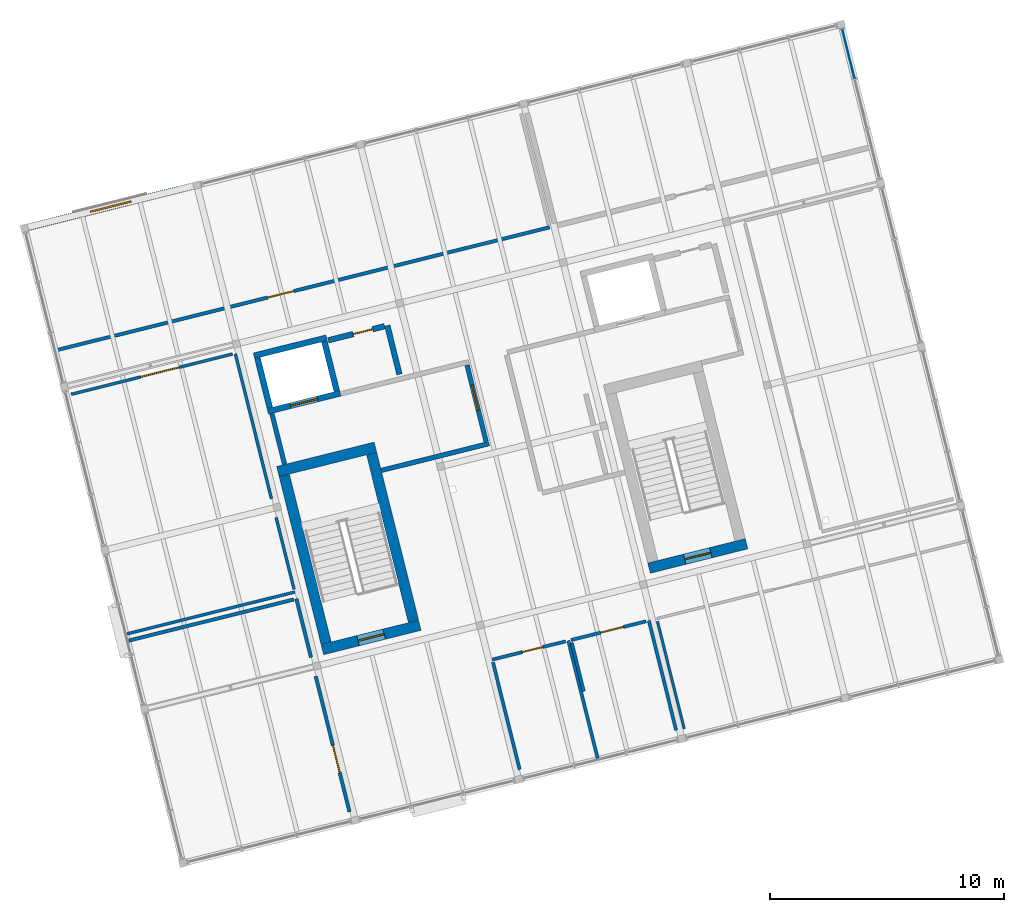
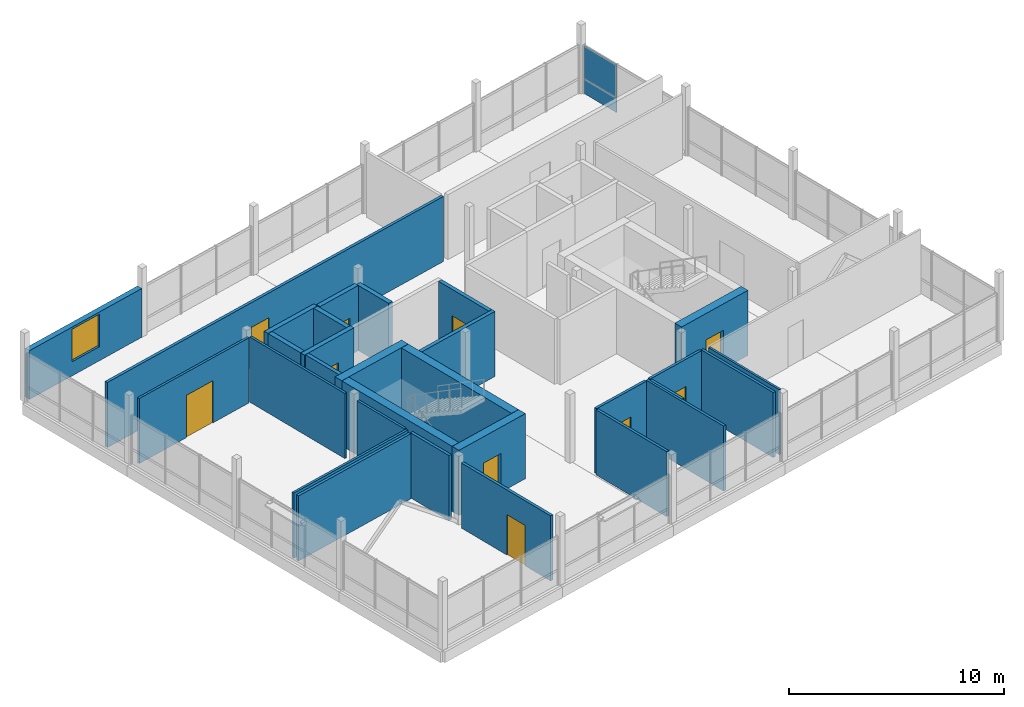
# One storey, part 23 of 25: 30 walls, 10 doors, 2 plates, 1 window, 11 openings, 1 element without a shape of its own.
"""IFC4 building model written with IfcOpenShell, lengths in metres."""

from ifc_helpers import new_model, si_unit, direction, frame, frame_2d, origin, origin_2d, place, context, subcontext, project, spatial, rectangle, extrude, material, layer, layer_set, type_object, element, fill, aggregate, save


model = new_model("IFC4")

# Units and contexts
model_context = context("Model", 3, precision=1e-05, world=origin(), true_north=direction((0.0, 1.0)))
body_context = subcontext(model_context, "Body", "Model", "MODEL_VIEW")
ifc_project = project(units=[si_unit("LENGTHUNIT", "METRE"), si_unit("AREAUNIT", "SQUARE_METRE"), si_unit("VOLUMEUNIT", "CUBIC_METRE"), si_unit("PLANEANGLEUNIT", "RADIAN"), si_unit("MASSUNIT", "GRAM", prefix="KILO")], contexts=[model_context])

# Site, building, storey
site_placement = place(None, origin())
site = spatial("IfcSite", under=ifc_project, at=site_placement, CompositionType="ELEMENT")
building_placement = place(site_placement, origin())
building = spatial("IfcBuilding", under=site, at=building_placement, Name="Meriwether Solvik Hall", CompositionType="ELEMENT")
storey_placement = place(building_placement, frame((0.0, 0.0, 53.39990234375)))
storey = spatial("IfcBuildingStorey", under=building, at=storey_placement, Name="L13", CompositionType="ELEMENT", Elevation=53.39990234375)

# Curtain wall, plates
ifc_material_1 = material(Name="Thermally Broken Anodised Aluminium 6063-T6 and Low-E Glass", Category="aluminium")
ifc_layer_1 = layer(ifc_material_1, 0.179931640625)
ifc_layer_set_1 = layer_set([ifc_layer_1], Name="Thermally Broken Anodised Aluminium 6063-T6 and Low-E Glass")
curtain_wall_type = type_object("IfcCurtainWallType", Name="CW-UNIT-A", PredefinedType="USERDEFINED", material=ifc_layer_set_1)
curtain_wall_placement = place(storey_placement, origin())
curtain_wall = element("IfcCurtainWall", 1, at=curtain_wall_placement, inside=storey, type_object=curtain_wall_type, Name="Curtain Wall E1_B3 (L13)", ObjectType="UNITISED CURTAIN WALL", PredefinedType="USERDEFINED")
ifc_material_2 = material(Name="Low-Emissivity Double-Glazed Laminated Glass", Category="glass")
ifc_layer_2 = layer(ifc_material_2, 0.031982421875)
ifc_layer_set_2 = layer_set([ifc_layer_2], Name="Low-Emissivity Double-Glazed Laminated Glass")
plate_type_1 = type_object("IfcPlateType", Name="PLT-GLZ-210X195", PredefinedType="CURTAIN_PANEL", material=ifc_layer_set_2)
plate_1_placement = place(storey_placement, frame((97.071044921875, 75.8173828125, 0.8310546875), z_axis=(0.0, 0.0, 1.0), x_axis=(0.241921960765, -0.970295710028, 0.0)))
plate_1 = element("IfcPlate", 2, at=plate_1_placement, type_object=plate_type_1, Name="Low-E Vision Glazing Panel 1", PredefinedType="CURTAIN_PANEL", context=body_context, shape_type="SweptSolid", body=[
    extrude(rectangle(XDim=2.17431640625, YDim=0.033935546875, at=origin_2d()), origin(), (0.0, 0.0, 1.0), 1.87890625),
])
ifc_material_3 = material(Name="Mineral-Wool Insulated Anodised Aluminium 6063-T6", Category="aluminium")
ifc_layer_3 = layer(ifc_material_3, 0.044921875)
ifc_layer_set_3 = layer_set([ifc_layer_3], Name="Mineral-Wool Insulated Anodised Aluminium 6063-T6")
plate_type_2 = type_object("IfcPlateType", Name="PLT-SPN-200X085", PredefinedType="CURTAIN_PANEL", material=ifc_layer_set_3)
plate_2_placement = place(storey_placement, frame((97.071044921875, 75.8173828125, 0.0), z_axis=(0.0, 0.0, 1.0), x_axis=(0.241921960765, -0.970295710028, 0.0)))
plate_2 = element("IfcPlate", 3, at=plate_2_placement, type_object=plate_type_2, Name="Insulated Spandrel Panel 1", PredefinedType="CURTAIN_PANEL", context=body_context, shape_type="SweptSolid", body=[
    extrude(rectangle(XDim=2.17431640625, YDim=0.044921875, at=origin_2d()), origin(), (0.0, 0.0, 1.0), 0.8310546875),
])
aggregate(curtain_wall, [plate_2, plate_1])

# Wall, opening, window
ifc_material_4 = material(Name="Cross-Laminated Timber and Mineral-Wool Insulation", Category="wood")
ifc_layer_4 = layer(ifc_material_4, 0.2900390625)
ifc_layer_set_4 = layer_set([ifc_layer_4], Name="Cross-Laminated Timber and Mineral-Wool Insulation")
wall_type_1 = type_object("IfcWallType", Name="WALL-EXT-290", PredefinedType="SOLIDWALL", material=ifc_layer_set_4)
wall_1_placement = place(storey_placement, frame((61.99072265625, 68.4091796875, 0.0), z_axis=(0.0, 0.0, 1.0), x_axis=(0.970294606892, 0.241926385161, 0.0)))
wall_1 = element("IfcWall", 4, at=wall_1_placement, inside=storey, type_object=wall_type_1, Name="L13 Timber Rainscreen Wall 3.0", PredefinedType="SOLIDWALL", context=body_context, shape_type="SweptSolid", body=[
    extrude(rectangle(XDim=7.2607421875, YDim=0.2900390625, at=frame_2d((3.63037109375, 0.0))), origin(), (0.0, 0.0, 1.0), 2.77001953125),
])
opening_1_placement = place(wall_1_placement, frame((2.73046875, 0.0, 0.800048828125)))
opening_1 = element("IfcOpeningElement", 5, at=opening_1_placement, cuts=wall_1, Name="Opening WN-188", PredefinedType="OPENING", context=body_context, shape_type="SweptSolid", body=[
    extrude(rectangle(XDim=1.800048828125, YDim=1.85009765625, at=frame_2d((0.89990234375, 0.925048828125))), frame((0.0, 0.156982421875, 0.0), z_axis=(0.0, -1.0, 0.0), x_axis=(1.0, 0.0, 0.0)), (0.0, 0.0, 1.0), 0.31396484375),
])
ifc_material_5 = material(Name="Thermally Broken Anodised Aluminium and Triple Low-E Glass", Category="aluminium")
window_type = type_object("IfcWindowType", Name="WIN-TW-UPP-180X185", PartitioningType="SINGLE_PANEL", PredefinedType="WINDOW", material=ifc_material_5)
window_placement = place(opening_1_placement, origin())
window = element("IfcWindow", 6, at=window_placement, inside=storey, type_object=window_type, Name="L13 Punched Window 3.0", OverallHeight=1.85009765625, OverallWidth=1.800048828125, PartitioningType="SINGLE_PANEL", PredefinedType="WINDOW", context=body_context, shape_type="SweptSolid", body=[
    extrude(rectangle(XDim=1.800048828125, YDim=1.85009765625, at=frame_2d((0.89990234375, 0.925048828125))), frame((0.0, 0.030029296875, 0.0), z_axis=(0.0, -1.0, 0.0), x_axis=(1.0, 0.0, 0.0)), (0.0, 0.0, 1.0), 0.06005859375),
])
fill(opening_1, window)

# Walls
ifc_material_6 = material(Name="Fire-Rated Type X Gypsum Board", Category="gypsum")
ifc_layer_5 = layer(ifc_material_6, 0.199951171875)
ifc_layer_set_5 = layer_set([ifc_layer_5], Name="Fire-Rated Type X Gypsum Board")
wall_type_2 = type_object("IfcWallType", Name="WALL-FIRE-200", PredefinedType="STANDARD", material=ifc_layer_set_5)
wall_2_placement = place(storey_placement, frame((72.94970703125, 58.269287109375, 0.0), z_axis=(0.0, 0.0, 1.0), x_axis=(-0.24194311862, 0.970290434536, 0.0)))
element("IfcWall", 7, at=wall_2_placement, inside=storey, type_object=wall_type_2, Name="L13 Interior Partition lb1_w", PredefinedType="STANDARD", context=body_context, shape_type="SweptSolid", body=[
    extrude(rectangle(XDim=2.22998046875, YDim=0.199951171875, at=frame_2d((1.114990234375, 0.0))), origin(), (0.0, 0.0, 1.0), 3.7001953125),
])
wall_3_placement = place(storey_placement, frame((77.096923828125, 58.0048828125, 0.0), z_axis=(0.0, 0.0, 1.0), x_axis=(0.970305892741, 0.241881116483, 0.0)))
element("IfcWall", 8, at=wall_3_placement, inside=storey, type_object=wall_type_2, Name="L13 Interior Partition lb1_s", PredefinedType="STANDARD", context=body_context, shape_type="SweptSolid", body=[
    extrude(rectangle(XDim=4.73974609375, YDim=0.199951171875, at=frame_2d((2.369873046875, 0.0))), origin(), (0.0, 0.0, 1.0), 3.7001953125),
])

# Wall, opening, door
wall_4_placement = place(storey_placement, frame((80.75732421875, 62.50390625, 0.0), z_axis=(0.0, 0.0, 1.0), x_axis=(0.241885902723, -0.970304699599, 0.0)))
wall_4 = element("IfcWall", 9, at=wall_4_placement, inside=storey, type_object=wall_type_2, Name="L13 Interior Partition lb1_e", PredefinedType="STANDARD", context=body_context, shape_type="SweptSolid", body=[
    extrude(rectangle(XDim=3.360107421875, YDim=0.199951171875, at=frame_2d((1.68017578125, 0.0))), origin(), (0.0, 0.0, 1.0), 3.7001953125),
])
opening_2_placement = place(wall_4_placement, frame((0.889892578125, 0.0, 0.0)))
opening_2 = element("IfcOpeningElement", 10, at=opening_2_placement, cuts=wall_4, Name="Opening D-168", PredefinedType="OPENING", context=body_context, shape_type="SweptSolid", body=[
    extrude(rectangle(XDim=1.10009765625, YDim=2.199951171875, at=frame_2d((0.550048828125, 1.10009765625))), frame((0.0, 0.11181640625, 0.0), z_axis=(0.0, -1.0, 0.0), x_axis=(1.0, 0.0, 0.0)), (0.0, 0.0, 1.0), 0.223876953125),
])
ifc_material_7 = material(Name="Steel A36 Galvanised", Category="steel")
door_type_1 = type_object("IfcDoorType", Name="DR-FD60-1100L", OperationType="SINGLE_SWING_LEFT", PredefinedType="DOOR", material=ifc_material_7)
door_1_placement = place(opening_2_placement, origin())
door_1 = element("IfcDoor", 11, at=door_1_placement, inside=storey, type_object=door_type_1, Name="West FSAE Lift Lobby Door (L13)", OperationType="SINGLE_SWING_LEFT", OverallHeight=2.199951171875, OverallWidth=1.10009765625, PredefinedType="DOOR", context=body_context, shape_type="SweptSolid", body=[
    extrude(rectangle(XDim=1.10009765625, YDim=2.199951171875, at=frame_2d((0.550048828125, 1.10009765625))), frame((0.0, 0.02490234375, 0.0), z_axis=(0.0, -1.0, 0.0), x_axis=(1.0, 0.0, 0.0)), (0.0, 0.0, 1.0), 0.050048828125),
])
fill(opening_2, door_1)

# Walls
ifc_material_8 = material(Name="Tempered Laminated Glass in Anodised Aluminium Frame", Category="aluminium")
ifc_layer_6 = layer(ifc_material_8, 0.112060546875)
ifc_layer_set_6 = layer_set([ifc_layer_6], Name="Tempered Laminated Glass in Anodised Aluminium Frame")
wall_type_3 = type_object("IfcWallType", Name="WALL-GLZ-112", PredefinedType="PARTITIONING", material=ifc_layer_set_6)
wall_5_placement = place(storey_placement, frame((88.8994140625, 51.54833984375, 0.0), z_axis=(0.0, 0.0, 1.0), x_axis=(0.241953794195, -0.970287772506, 0.0)))
element("IfcWall", 12, at=wall_5_placement, inside=storey, type_object=wall_type_3, Name="L13 Interior Partition fel_13s_w", PredefinedType="PARTITIONING", context=body_context, shape_type="SweptSolid", body=[
    extrude(rectangle(XDim=4.739501953125, YDim=0.112060546875, at=frame_2d((2.36962890625, 0.0))), origin(), (0.0, 0.0, 1.0), 3.7001953125),
])
ifc_material_9 = material(Name="Concrete C40/50", Category="concrete")
ifc_layer_7 = layer(ifc_material_9, 0.25)
ifc_layer_set_7 = layer_set([ifc_layer_7], Name="Concrete C40/50")
wall_type_4 = type_object("IfcWallType", Name="WALL-HOIST-250", PredefinedType="SHEAR", material=ifc_layer_set_7)
wall_6_placement = place(storey_placement, frame((74.744384765625, 63.67919921875, 0.0), z_axis=(0.0, 0.0, 1.0), x_axis=(-0.970294894235, -0.241925232711, 0.0)))
element("IfcWall", 13, at=wall_6_placement, inside=storey, type_object=wall_type_4, Name="Hoistway BANK1 North Wall (L13)", PredefinedType="SHEAR", context=body_context, shape_type="SweptSolid", body=[
    extrude(rectangle(XDim=3.199951171875, YDim=0.25, at=frame_2d((1.60009765625, 0.0))), origin(), (0.0, 0.0, 1.0), 3.7001953125),
])
for number, where, z_axis, x_axis, name in (
    (14, (71.793212890625, 62.80419921875, 0.0), (0.0, 0.0, 1.0), (0.242008581424, -0.970274108959, 0.0), "Hoistway BANK1 West Wall (L13)"),
    (15, (75.18310546875, 61.402587890625, 0.0), (0.0, 0.0, 1.0), (-0.241903146974, 0.970300400641, 0.0), "Hoistway BANK1 East Wall (L13)"),
):
    element("IfcWall", number, at=place(storey_placement, frame(where, z_axis=z_axis, x_axis=x_axis)), inside=storey, type_object=wall_type_4, Name=name, PredefinedType="SHEAR", context=body_context, shape_type="SweptSolid", body=[
        extrude(rectangle(XDim=2.179931640625, YDim=0.25, at=frame_2d((1.08984375, 0.0))), origin(), (0.0, 0.0, 1.0), 3.7001953125),
    ])

# Wall, opening, door
wall_7_placement = place(storey_placement, frame((72.232177734375, 60.52783203125, 0.0), z_axis=(0.0, 0.0, 1.0), x_axis=(0.970290428474, 0.241943142934, 0.0)))
wall_7 = element("IfcWall", 16, at=wall_7_placement, inside=storey, type_object=wall_type_4, Name="Lift LF-01 Landing Wall (L13)", PredefinedType="SHEAR", context=body_context, shape_type="SweptSolid", body=[
    extrude(rectangle(XDim=3.19970703125, YDim=0.25, at=frame_2d((1.599853515625, 0.0))), origin(), (0.0, 0.0, 1.0), 3.7001953125),
])
opening_3_placement = place(wall_7_placement, frame((1.0, 0.0, 0.0)))
opening_3 = element("IfcOpeningElement", 17, at=opening_3_placement, cuts=wall_7, Name="Opening LD-01", PredefinedType="OPENING", context=body_context, shape_type="SweptSolid", body=[
    extrude(rectangle(XDim=1.199951171875, YDim=2.199951171875, at=frame_2d((0.60009765625, 1.10009765625))), frame((0.0, 0.136962890625, 0.0), z_axis=(0.0, -1.0, 0.0), x_axis=(1.0, 0.0, 0.0)), (0.0, 0.0, 1.0), 0.27392578125),
])
ifc_material_10 = material(Name="Stainless Steel AISI 316", Category="steel")
door_type_2 = type_object("IfcDoorType", Name="DR-LIFT-FSAE", OperationType="DOUBLE_DOOR_SLIDING", PredefinedType="DOOR", material=ifc_material_10)
door_2_placement = place(opening_3_placement, origin())
door_2 = element("IfcDoor", 18, at=door_2_placement, inside=storey, type_object=door_type_2, Name="Lift Landing Door LF-01 (L13)", OperationType="DOUBLE_DOOR_SLIDING", OverallHeight=2.199951171875, OverallWidth=1.199951171875, PredefinedType="DOOR", context=body_context, shape_type="SweptSolid", body=[
    extrude(rectangle(XDim=1.199951171875, YDim=2.199951171875, at=frame_2d((0.60009765625, 1.10009765625))), frame((0.0, 0.02490234375, 0.0), z_axis=(0.0, -1.0, 0.0), x_axis=(1.0, 0.0, 0.0)), (0.0, 0.0, 1.0), 0.050048828125),
])
fill(opening_3, door_2)

# Walls
ifc_material_11 = material(Name="Gypsum Board Partition", Category="gypsum")
ifc_layer_8 = layer(ifc_material_11, 0.125)
ifc_layer_set_8 = layer_set([ifc_layer_8], Name="Gypsum Board Partition")
wall_type_5 = type_object("IfcWallType", Name="WALL-PART-125", PredefinedType="PARTITIONING", material=ifc_layer_set_8)
wall_8_placement = place(storey_placement, frame((66.21484375, 51.014404296875, 0.0), z_axis=(0.0, 0.0, 1.0), x_axis=(0.970293891766, 0.241929253299, 0.0)))
element("IfcWall", 19, at=wall_8_placement, inside=storey, type_object=wall_type_5, Name="L13 Interior Partition fel_13b_s", PredefinedType="PARTITIONING", context=body_context, shape_type="SweptSolid", body=[
    extrude(rectangle(XDim=7.389892578125, YDim=0.125, at=frame_2d((3.69482421875, 0.0))), origin(), (0.0, 0.0, 1.0), 3.7001953125),
])
wall_9_placement = place(storey_placement, frame((73.356201171875, 52.918701171875, 0.0), z_axis=(0.0, 0.0, 1.0), x_axis=(-0.241937307569, 0.97029188351, 0.0)))
element("IfcWall", 20, at=wall_9_placement, inside=storey, type_object=wall_type_5, Name="L13 Interior Partition fel_13b_e", PredefinedType="PARTITIONING", context=body_context, shape_type="SweptSolid", body=[
    extrude(rectangle(XDim=3.168701171875, YDim=0.125, at=frame_2d((1.58447265625, 0.0))), origin(), (0.0, 0.0, 1.0), 3.7001953125),
])
wall_10_placement = place(storey_placement, frame((72.39013671875, 56.793701171875, 0.0), z_axis=(0.0, 0.0, 1.0), x_axis=(-0.241922822951, 0.970295495061, 0.0)))
element("IfcWall", 21, at=wall_10_placement, inside=storey, type_object=wall_type_5, Name="L13 Interior Partition fel_13b_e_s2", PredefinedType="PARTITIONING", context=body_context, shape_type="SweptSolid", body=[
    extrude(rectangle(XDim=6.375, YDim=0.125, at=frame_2d((3.1875, 0.0))), origin(), (0.0, 0.0, 1.0), 3.7001953125),
])

# Wall, opening, door
wall_11_placement = place(storey_placement, frame((70.723876953125, 62.980712890625, 0.0), z_axis=(0.0, 0.0, 1.0), x_axis=(-0.970293813542, -0.241929567029, 0.0)))
wall_11 = element("IfcWall", 22, at=wall_11_placement, inside=storey, type_object=wall_type_5, Name="L13 Interior Partition fel_13b_n", PredefinedType="PARTITIONING", context=body_context, shape_type="SweptSolid", body=[
    extrude(rectangle(XDim=7.109375, YDim=0.125, at=frame_2d((3.5546875, 0.0))), origin(), (0.0, 0.0, 1.0), 3.7001953125),
])
opening_4_placement = place(wall_11_placement, frame((2.35009765625, 0.0, 0.0)))
opening_4 = element("IfcOpeningElement", 23, at=opening_4_placement, cuts=wall_11, Name="Opening D-114", PredefinedType="OPENING", context=body_context, shape_type="SweptSolid", body=[
    extrude(rectangle(XDim=1.699951171875, YDim=2.39990234375, at=frame_2d((0.85009765625, 1.199951171875))), frame((0.0, 0.074462890625, 0.0), z_axis=(0.0, -1.0, 0.0), x_axis=(1.0, 0.0, 0.0)), (0.0, 0.0, 1.0), 0.14892578125),
])
ifc_material_12 = material(Name="Laminated Vision Glass and Solid White Oak Timber", Category="wood")
door_type_3 = type_object("IfcDoorType", Name="DR-GAL-1700", OperationType="DOUBLE_DOOR_SINGLE_SWING", PredefinedType="DOOR", material=ifc_material_12)
door_3_placement = place(opening_4_placement, origin())
door_3 = element("IfcDoor", 24, at=door_3_placement, inside=storey, type_object=door_type_3, Name="L13 Resident Authors Reading Room Door", OperationType="DOUBLE_DOOR_SINGLE_SWING", OverallHeight=2.39990234375, OverallWidth=1.699951171875, PredefinedType="DOOR", context=body_context, shape_type="SweptSolid", body=[
    extrude(rectangle(XDim=1.699951171875, YDim=2.39990234375, at=frame_2d((0.85009765625, 1.199951171875))), frame((0.0, 0.02490234375, 0.0), z_axis=(0.0, -1.0, 0.0), x_axis=(1.0, 0.0, 0.0)), (0.0, 0.0, 1.0), 0.050048828125),
])
fill(opening_4, door_3)

ifc_material_13 = material(Name="Gypsum Board Partition", Category="gypsum")
ifc_layer_9 = layer(ifc_material_13, 0.14990234375)
ifc_layer_set_9 = layer_set([ifc_layer_9], Name="Gypsum Board Partition")
wall_type_6 = type_object("IfcWallType", Name="WALL-PART-150", PredefinedType="PARTITIONING", material=ifc_layer_set_9)
wall_12_placement = place(storey_placement, frame((75.728759765625, 43.403564453125, 0.0), z_axis=(0.0, 0.0, 1.0), x_axis=(-0.24192989378, 0.970293732071, 0.0)))
wall_12 = element("IfcWall", 25, at=wall_12_placement, inside=storey, type_object=wall_type_6, Name="L13 Interior Partition fel_13a_e", PredefinedType="PARTITIONING", context=body_context, shape_type="SweptSolid", body=[
    extrude(rectangle(XDim=5.97509765625, YDim=0.14990234375, at=frame_2d((2.987548828125, 0.0))), origin(), (0.0, 0.0, 1.0), 3.7001953125),
])
opening_5_placement = place(wall_12_placement, frame((1.728271484375, 0.0, 0.0)))
opening_5 = element("IfcOpeningElement", 26, at=opening_5_placement, cuts=wall_12, Name="Opening D-122", PredefinedType="OPENING", context=body_context, shape_type="SweptSolid", body=[
    extrude(rectangle(XDim=1.199951171875, YDim=2.300048828125, at=frame_2d((0.60009765625, 1.14990234375))), frame((0.0, 0.0869140625, 0.0), z_axis=(0.0, -1.0, 0.0), x_axis=(1.0, 0.0, 0.0)), (0.0, 0.0, 1.0), 0.173828125),
])
ifc_material_14 = material(Name="Solid-Core Rift White Oak Timber", Category="wood")
door_type_4 = type_object("IfcDoorType", Name="DR-STD-1200L", OperationType="SINGLE_SWING_LEFT", PredefinedType="DOOR", material=ifc_material_14)
door_4_placement = place(opening_5_placement, origin())
door_4 = element("IfcDoor", 27, at=door_4_placement, inside=storey, type_object=door_type_4, Name="L13 Civic Arts Fellowship Studio Door", OperationType="SINGLE_SWING_LEFT", OverallHeight=2.300048828125, OverallWidth=1.199951171875, PredefinedType="DOOR", context=body_context, shape_type="SweptSolid", body=[
    extrude(rectangle(XDim=1.199951171875, YDim=2.300048828125, at=frame_2d((0.60009765625, 1.14990234375))), frame((0.0, 0.02490234375, 0.0), z_axis=(0.0, -1.0, 0.0), x_axis=(1.0, 0.0, 0.0)), (0.0, 0.0, 1.0), 0.050048828125),
])
fill(opening_5, door_4)

# Walls
wall_13_placement = place(storey_placement, frame((74.08349609375, 50.00146484375, 0.0), z_axis=(0.0, 0.0, 1.0), x_axis=(-0.241913731831, 0.970297761696, 0.0)))
element("IfcWall", 28, at=wall_13_placement, inside=storey, type_object=wall_type_6, Name="L13 Interior Partition fel_13a_e_s2", PredefinedType="PARTITIONING", context=body_context, shape_type="SweptSolid", body=[
    extrude(rectangle(XDim=2.586669921875, YDim=0.14990234375, at=frame_2d((1.29345703125, 0.0))), origin(), (0.0, 0.0, 1.0), 3.7001953125),
])
wall_14_placement = place(storey_placement, frame((73.34130859375, 52.482177734375, 0.0), z_axis=(0.0, 0.0, 1.0), x_axis=(-0.970294417579, -0.241927144438, 0.0)))
element("IfcWall", 29, at=wall_14_placement, inside=storey, type_object=wall_type_6, Name="L13 Interior Partition fel_13a_n", PredefinedType="PARTITIONING", context=body_context, shape_type="SweptSolid", body=[
    extrude(rectangle(XDim=7.27001953125, YDim=0.14990234375, at=frame_2d((3.635009765625, 0.0))), origin(), (0.0, 0.0, 1.0), 3.7001953125),
])

# Wall, opening, door
wall_15_placement = place(storey_placement, frame((63.190673828125, 63.143310546875, 0.0), z_axis=(0.0, 0.0, 1.0), x_axis=(0.97029688114, 0.241917263646, 0.0)))
wall_15 = element("IfcWall", 30, at=wall_15_placement, inside=storey, type_object=wall_type_6, Name="L13 Interior Partition fel_13n1_s", PredefinedType="PARTITIONING", context=body_context, shape_type="SweptSolid", body=[
    extrude(rectangle(XDim=21.739990234375, YDim=0.14990234375, at=frame_2d((10.8701171875, 0.0))), origin(), (0.0, 0.0, 1.0), 3.7001953125),
])
opening_6_placement = place(wall_15_placement, frame((9.3095703125, 0.0, 0.0)))
opening_6 = element("IfcOpeningElement", 31, at=opening_6_placement, cuts=wall_15, Name="Opening D-149", PredefinedType="OPENING", context=body_context, shape_type="SweptSolid", body=[
    extrude(rectangle(XDim=1.14990234375, YDim=2.300048828125, at=frame_2d((0.574951171875, 1.14990234375))), frame((0.0, 0.0869140625, 0.0), z_axis=(0.0, -1.0, 0.0), x_axis=(1.0, 0.0, 0.0)), (0.0, 0.0, 1.0), 0.173828125),
])
ifc_material_15 = material(Name="Laminated Vision Glass and Solid White Oak Timber", Category="wood")
door_type_5 = type_object("IfcDoorType", Name="DR-SEM-1150L", OperationType="SINGLE_SWING_LEFT", PredefinedType="DOOR", material=ifc_material_15)
door_5_placement = place(opening_6_placement, origin())
door_5 = element("IfcDoor", 32, at=door_5_placement, inside=storey, type_object=door_type_5, Name="L13 Ethics and Philosophy Classroom Door", OperationType="SINGLE_SWING_LEFT", OverallHeight=2.300048828125, OverallWidth=1.14990234375, PredefinedType="DOOR", context=body_context, shape_type="SweptSolid", body=[
    extrude(rectangle(XDim=1.14990234375, YDim=2.300048828125, at=frame_2d((0.574951171875, 1.14990234375))), frame((0.0, 0.02490234375, 0.0), z_axis=(0.0, -1.0, 0.0), x_axis=(1.0, 0.0, 0.0)), (0.0, 0.0, 1.0), 0.050048828125),
])
fill(opening_6, door_5)

ifc_material_16 = material(Name="Concrete C45/55", Category="concrete")
ifc_layer_10 = layer(ifc_material_16, 0.449951171875)
ifc_layer_set_10 = layer_set([ifc_layer_10], Name="Concrete C45/55")
wall_type_7 = type_object("IfcWallType", Name="WALL-RC-450", PredefinedType="SHEAR", material=ifc_layer_set_10)
wall_16_placement = place(storey_placement, frame((74.566162109375, 50.33984375, 0.0), z_axis=(0.0, 0.0, 1.0), x_axis=(0.970292610647, 0.241934391361, 0.0)))
wall_16 = element("IfcWall", 33, at=wall_16_placement, inside=storey, type_object=wall_type_7, Name="CORE-1 Shear Wall S (L13)", PredefinedType="SHEAR", context=body_context, shape_type="SweptSolid", body=[
    extrude(rectangle(XDim=4.2998046875, YDim=0.449951171875, at=frame_2d((2.14990234375, 0.0))), origin(), (0.0, 0.0, 1.0), 3.7001953125),
])
opening_7_placement = place(wall_16_placement, frame((1.574951171875, 0.0, 0.0)))
opening_7 = element("IfcOpeningElement", 34, at=opening_7_placement, cuts=wall_16, Name="Opening D-189", PredefinedType="OPENING", context=body_context, shape_type="SweptSolid", body=[
    extrude(rectangle(XDim=1.14990234375, YDim=2.199951171875, at=frame_2d((0.574951171875, 1.10009765625))), frame((0.0, 0.23681640625, 0.0), z_axis=(0.0, -1.0, 0.0), x_axis=(1.0, 0.0, 0.0)), (0.0, 0.0, 1.0), 0.473876953125),
])
ifc_material_17 = material(Name="Steel A36 Galvanised", Category="steel")
door_type_6 = type_object("IfcDoorType", Name="DR-FD90-1150L", OperationType="SINGLE_SWING_LEFT", PredefinedType="DOOR", material=ifc_material_17)
door_6_placement = place(opening_7_placement, origin())
door_6 = element("IfcDoor", 35, at=door_6_placement, inside=storey, type_object=door_type_6, Name="Stair ST-01 Smokeproof Exit Door (L13)", OperationType="SINGLE_SWING_LEFT", OverallHeight=2.199951171875, OverallWidth=1.14990234375, PredefinedType="DOOR", context=body_context, shape_type="SweptSolid", body=[
    extrude(rectangle(XDim=1.14990234375, YDim=2.199951171875, at=frame_2d((0.574951171875, 1.10009765625))), frame((0.0, 0.02490234375, 0.0), z_axis=(0.0, -1.0, 0.0), x_axis=(1.0, 0.0, 0.0)), (0.0, 0.0, 1.0), 0.050048828125),
])
fill(opening_7, door_6)

# Walls
wall_17_placement = place(storey_placement, frame((76.83935546875, 58.996826171875, 0.0), z_axis=(0.0, 0.0, 1.0), x_axis=(-0.970295933763, -0.241921063415, 0.0)))
element("IfcWall", 36, at=wall_17_placement, inside=storey, type_object=wall_type_7, Name="CORE-1 Shear Wall N (L13)", PredefinedType="SHEAR", context=body_context, shape_type="SweptSolid", body=[
    extrude(rectangle(XDim=4.300048828125, YDim=0.449951171875, at=frame_2d((2.14990234375, 0.0))), origin(), (0.0, 0.0, 1.0), 3.7001953125),
])
for number, where, z_axis, x_axis, name in (
    (37, (72.942138671875, 57.782958984375, 0.0), (0.0, 0.0, 1.0), (0.241928426141, -0.970294098006, 0.0), "CORE-1 Shear Wall W (L13)"),
    (38, (78.463134765625, 51.5537109375, 0.0), (0.0, 0.0, 1.0), (-0.241928426141, 0.970294098006, 0.0), "CORE-1 Shear Wall E (L13)"),
):
    element("IfcWall", number, at=place(storey_placement, frame(where, z_axis=z_axis, x_axis=x_axis)), inside=storey, type_object=wall_type_7, Name=name, PredefinedType="SHEAR", context=body_context, shape_type="SweptSolid", body=[
        extrude(rectangle(XDim=7.3798828125, YDim=0.449951171875, at=frame_2d((3.68994140625, 0.0))), origin(), (0.0, 0.0, 1.0), 3.7001953125),
    ])

# Wall, opening, door
wall_18_placement = place(storey_placement, frame((88.538330078125, 53.823486328125, 0.0), z_axis=(0.0, 0.0, 1.0), x_axis=(0.970295933763, 0.241921063415, 0.0)))
wall_18 = element("IfcWall", 39, at=wall_18_placement, inside=storey, type_object=wall_type_7, Name="CORE-2 Shear Wall S (L13)", PredefinedType="SHEAR", context=body_context, shape_type="SweptSolid", body=[
    extrude(rectangle(XDim=4.300048828125, YDim=0.449951171875, at=frame_2d((2.14990234375, 0.0))), origin(), (0.0, 0.0, 1.0), 3.7001953125),
])
opening_8_placement = place(wall_18_placement, frame((1.574951171875, 0.0, 0.0)))
opening_8 = element("IfcOpeningElement", 40, at=opening_8_placement, cuts=wall_18, Name="Opening D-148", PredefinedType="OPENING", context=body_context, shape_type="SweptSolid", body=[
    extrude(rectangle(XDim=1.14990234375, YDim=2.199951171875, at=frame_2d((0.574951171875, 1.10009765625))), frame((0.0, 0.23681640625, 0.0), z_axis=(0.0, -1.0, 0.0), x_axis=(1.0, 0.0, 0.0)), (0.0, 0.0, 1.0), 0.473876953125),
])
ifc_material_18 = material(Name="Steel A36 Galvanised", Category="steel")
door_type_7 = type_object("IfcDoorType", Name="DR-FD90-1150R", OperationType="SINGLE_SWING_RIGHT", PredefinedType="DOOR", material=ifc_material_18)
door_7_placement = place(opening_8_placement, origin())
door_7 = element("IfcDoor", 41, at=door_7_placement, inside=storey, type_object=door_type_7, Name="Stair ST-02 Smokeproof Exit Door (L13)", OperationType="SINGLE_SWING_RIGHT", OverallHeight=2.199951171875, OverallWidth=1.14990234375, PredefinedType="DOOR", context=body_context, shape_type="SweptSolid", body=[
    extrude(rectangle(XDim=1.14990234375, YDim=2.199951171875, at=frame_2d((0.574951171875, 1.10009765625))), frame((0.0, 0.02490234375, 0.0), z_axis=(0.0, -1.0, 0.0), x_axis=(1.0, 0.0, 0.0)), (0.0, 0.0, 1.0), 0.050048828125),
])
fill(opening_8, door_7)

# Wall
ifc_material_19 = material(Name="Concrete C35/45", Category="concrete")
ifc_layer_11 = layer(ifc_material_19, 0.239990234375)
ifc_layer_set_11 = layer_set([ifc_layer_11], Name="Concrete C35/45")
wall_type_8 = type_object("IfcWallType", Name="WALL-SHAFT-240", PredefinedType="STANDARD", material=ifc_layer_set_11)
wall_19_placement = place(storey_placement, frame((77.865966796875, 62.11279296875, 0.0), z_axis=(0.0, 0.0, 1.0), x_axis=(-0.2418676095, 0.970309259708, 0.0)))
element("IfcWall", 42, at=wall_19_placement, inside=storey, type_object=wall_type_8, Name="L13 Interior Partition riser1_e", PredefinedType="STANDARD", context=body_context, shape_type="SweptSolid", body=[
    extrude(rectangle(XDim=2.14990234375, YDim=0.239990234375, at=frame_2d((1.074951171875, 0.0))), origin(), (0.0, 0.0, 1.0), 3.7001953125),
])

# Wall, opening, door
wall_20_placement = place(storey_placement, frame((77.2294921875, 64.169921875, 0.0), z_axis=(0.0, 0.0, 1.0), x_axis=(-0.970310192441, -0.241863867589, 0.0)))
wall_20 = element("IfcWall", 43, at=wall_20_placement, inside=storey, type_object=wall_type_8, Name="L13 Interior Partition riser1_n", PredefinedType="STANDARD", context=body_context, shape_type="SweptSolid", body=[
    extrude(rectangle(XDim=2.480224609375, YDim=0.239990234375, at=frame_2d((1.240234375, 0.0))), origin(), (0.0, 0.0, 1.0), 3.7001953125),
])
opening_9_placement = place(wall_20_placement, frame((0.530029296875, 0.0, 0.0)))
opening_9 = element("IfcOpeningElement", 44, at=opening_9_placement, cuts=wall_20, Name="Opening D-102", PredefinedType="OPENING", context=body_context, shape_type="SweptSolid", body=[
    extrude(rectangle(XDim=0.85009765625, YDim=2.10009765625, at=frame_2d((0.425048828125, 1.050048828125))), frame((0.0, 0.1318359375, 0.0), z_axis=(0.0, -1.0, 0.0), x_axis=(1.0, 0.0, 0.0)), (0.0, 0.0, 1.0), 0.263916015625),
])
ifc_material_20 = material(Name="Steel A36 Galvanised", Category="steel")
door_type_8 = type_object("IfcDoorType", Name="DR-FD60-850L", OperationType="SINGLE_SWING_LEFT", PredefinedType="DOOR", material=ifc_material_20)
door_8_placement = place(opening_9_placement, origin())
door_8 = element("IfcDoor", 45, at=door_8_placement, inside=storey, type_object=door_type_8, Name="Telecom Riser Closet Door (L13)", OperationType="SINGLE_SWING_LEFT", OverallHeight=2.10009765625, OverallWidth=0.85009765625, PredefinedType="DOOR", context=body_context, shape_type="SweptSolid", body=[
    extrude(rectangle(XDim=0.85009765625, YDim=2.10009765625, at=frame_2d((0.425048828125, 1.050048828125))), frame((0.0, 0.02490234375, 0.0), z_axis=(0.0, -1.0, 0.0), x_axis=(1.0, 0.0, 0.0)), (0.0, 0.0, 1.0), 0.050048828125),
])
fill(opening_9, door_8)

# Wall
ifc_material_21 = material(Name="Moisture-Resistant Gypsum Board", Category="gypsum")
ifc_layer_12 = layer(ifc_material_21, 0.139892578125)
ifc_layer_set_12 = layer_set([ifc_layer_12], Name="Moisture-Resistant Gypsum Board")
wall_type_9 = type_object("IfcWallType", Name="WALL-WET-140", PredefinedType="PLUMBINGWALL", material=ifc_layer_set_12)
wall_21_placement = place(storey_placement, frame((86.341796875, 45.685302734375, 0.0), z_axis=(0.0, 0.0, 1.0), x_axis=(-0.241882536495, 0.970305538755, 0.0)))
element("IfcWall", 46, at=wall_21_placement, inside=storey, type_object=wall_type_9, Name="L13 Interior Partition wc_m_e", PredefinedType="PLUMBINGWALL", context=body_context, shape_type="SweptSolid", body=[
    extrude(rectangle(XDim=5.18994140625, YDim=0.139892578125, at=frame_2d((2.594970703125, 0.0))), origin(), (0.0, 0.0, 1.0), 3.7001953125),
])

# Wall, opening, door
wall_22_placement = place(storey_placement, frame((84.969970703125, 50.692138671875, 0.0), z_axis=(0.0, 0.0, 1.0), x_axis=(-0.970306789251, -0.241877520106, 0.0)))
wall_22 = element("IfcWall", 47, at=wall_22_placement, inside=storey, type_object=wall_type_9, Name="L13 Interior Partition wc_m_n", PredefinedType="PLUMBINGWALL", context=body_context, shape_type="SweptSolid", body=[
    extrude(rectangle(XDim=3.22998046875, YDim=0.139892578125, at=frame_2d((1.614990234375, 0.0))), origin(), (0.0, 0.0, 1.0), 3.7001953125),
])
opening_10_placement = place(wall_22_placement, frame((1.008544921875, 0.0, 0.0)))
opening_10 = element("IfcOpeningElement", 48, at=opening_10_placement, cuts=wall_22, Name="Opening D-174", PredefinedType="OPENING", context=body_context, shape_type="SweptSolid", body=[
    extrude(rectangle(XDim=0.89990234375, YDim=2.14990234375, at=frame_2d((0.449951171875, 1.074951171875))), frame((0.0, 0.08203125, 0.0), z_axis=(0.0, -1.0, 0.0), x_axis=(1.0, 0.0, 0.0)), (0.0, 0.0, 1.0), 0.163818359375),
])
ifc_material_22 = material(Name="Solid-Core Rift White Oak Timber", Category="wood")
door_type_9 = type_object("IfcDoorType", Name="DR-WC-900L", OperationType="SINGLE_SWING_LEFT", PredefinedType="DOOR", material=ifc_material_22)
door_9_placement = place(opening_10_placement, origin())
door_9 = element("IfcDoor", 49, at=door_9_placement, inside=storey, type_object=door_type_9, Name="L13 Restrooms Door", OperationType="SINGLE_SWING_LEFT", OverallHeight=2.14990234375, OverallWidth=0.89990234375, PredefinedType="DOOR", context=body_context, shape_type="SweptSolid", body=[
    extrude(rectangle(XDim=0.89990234375, YDim=2.14990234375, at=frame_2d((0.449951171875, 1.074951171875))), frame((0.0, 0.02490234375, 0.0), z_axis=(0.0, -1.0, 0.0), x_axis=(1.0, 0.0, 0.0)), (0.0, 0.0, 1.0), 0.050048828125),
])
fill(opening_10, door_9)

# Walls
wall_23_placement = place(storey_placement, frame((81.86474609375, 49.79443359375, 0.0), z_axis=(0.0, 0.0, 1.0), x_axis=(0.241926894929, -0.97029447979, 0.0)))
element("IfcWall", 50, at=wall_23_placement, inside=storey, type_object=wall_type_9, Name="L13 Interior Partition wc_m_w", PredefinedType="PLUMBINGWALL", context=body_context, shape_type="SweptSolid", body=[
    extrude(rectangle(XDim=4.71875, YDim=0.139892578125, at=frame_2d((2.359375, 0.0))), origin(), (0.0, 0.0, 1.0), 3.7001953125),
])
wall_24_placement = place(storey_placement, frame((89.700927734375, 46.88720703125, 0.0), z_axis=(0.0, 0.0, 1.0), x_axis=(-0.24194171914, 0.970290783497, 0.0)))
element("IfcWall", 51, at=wall_24_placement, inside=storey, type_object=wall_type_9, Name="L13 Interior Partition wc_a_e", PredefinedType="PLUMBINGWALL", context=body_context, shape_type="SweptSolid", body=[
    extrude(rectangle(XDim=4.836669921875, YDim=0.139892578125, at=frame_2d((2.41845703125, 0.0))), origin(), (0.0, 0.0, 1.0), 3.7001953125),
])

# Wall, opening, door
wall_25_placement = place(storey_placement, frame((88.41455078125, 51.551025390625, 0.0), z_axis=(0.0, 0.0, 1.0), x_axis=(-0.970294165893, -0.241928153868, 0.0)))
wall_25 = element("IfcWall", 52, at=wall_25_placement, inside=storey, type_object=wall_type_9, Name="L13 Interior Partition wc_a_n", PredefinedType="PLUMBINGWALL", context=body_context, shape_type="SweptSolid", body=[
    extrude(rectangle(XDim=3.31005859375, YDim=0.139892578125, at=frame_2d((1.655029296875, 0.0))), origin(), (0.0, 0.0, 1.0), 3.7001953125),
])
opening_11_placement = place(wall_25_placement, frame((1.0, 0.0, 0.0)))
opening_11 = element("IfcOpeningElement", 53, at=opening_11_placement, cuts=wall_25, Name="Opening D-140", PredefinedType="OPENING", context=body_context, shape_type="SweptSolid", body=[
    extrude(rectangle(XDim=1.0, YDim=2.14990234375, at=frame_2d((0.5, 1.074951171875))), frame((0.0, 0.08203125, 0.0), z_axis=(0.0, -1.0, 0.0), x_axis=(1.0, 0.0, 0.0)), (0.0, 0.0, 1.0), 0.163818359375),
])
ifc_material_23 = material(Name="Solid-Core Rift White Oak Timber", Category="wood")
door_type_10 = type_object("IfcDoorType", Name="DR-ACC-1000L", OperationType="SINGLE_SWING_LEFT", PredefinedType="DOOR", material=ifc_material_23)
door_10_placement = place(opening_11_placement, origin())
door_10 = element("IfcDoor", 54, at=door_10_placement, inside=storey, type_object=door_type_10, Name="L13 Accessible WC Door", OperationType="SINGLE_SWING_LEFT", OverallHeight=2.14990234375, OverallWidth=1.0, PredefinedType="DOOR", context=body_context, shape_type="SweptSolid", body=[
    extrude(rectangle(XDim=1.0, YDim=2.14990234375, at=frame_2d((0.5, 1.074951171875))), frame((0.0, 0.02490234375, 0.0), z_axis=(0.0, -1.0, 0.0), x_axis=(1.0, 0.0, 0.0)), (0.0, 0.0, 1.0), 0.050048828125),
])
fill(opening_11, door_10)

# Wall
wall_26_placement = place(storey_placement, frame((85.231689453125, 50.6337890625, 0.0), z_axis=(0.0, 0.0, 1.0), x_axis=(0.241972140659, -0.970283197394, 0.0)))
element("IfcWall", 55, at=wall_26_placement, inside=storey, type_object=wall_type_9, Name="L13 Interior Partition wc_a_w", PredefinedType="PLUMBINGWALL", context=body_context, shape_type="SweptSolid", body=[
    extrude(rectangle(XDim=2.14111328125, YDim=0.139892578125, at=frame_2d((1.070556640625, 0.0))), origin(), (0.0, 0.0, 1.0), 3.7001953125),
])

save(model, "model.ifc")
